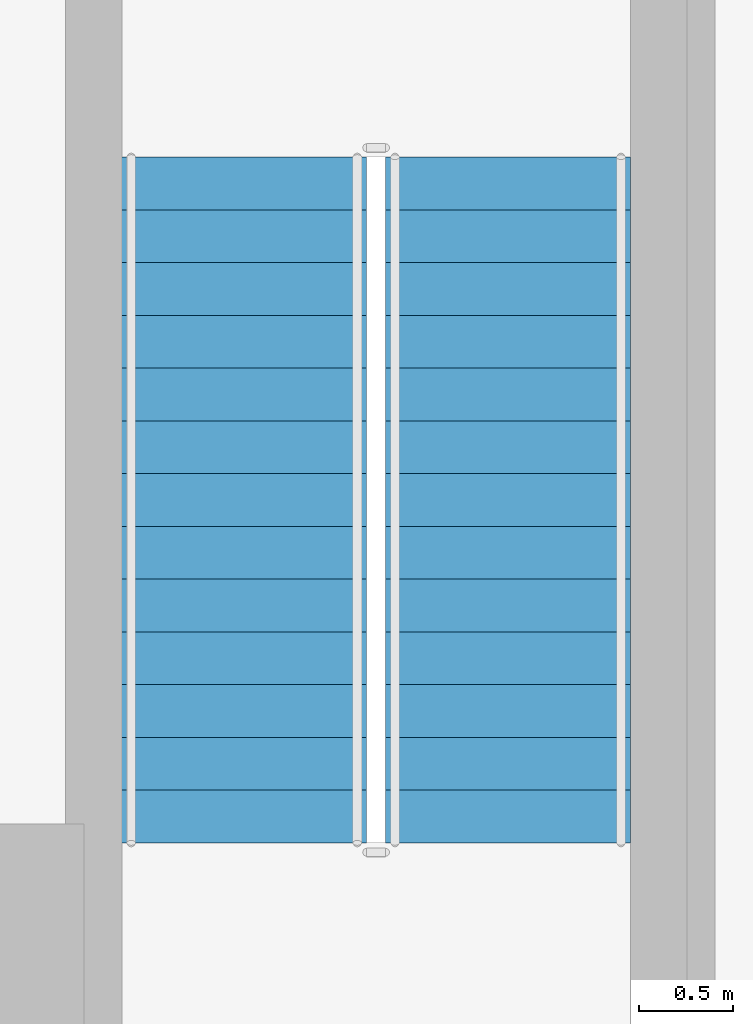
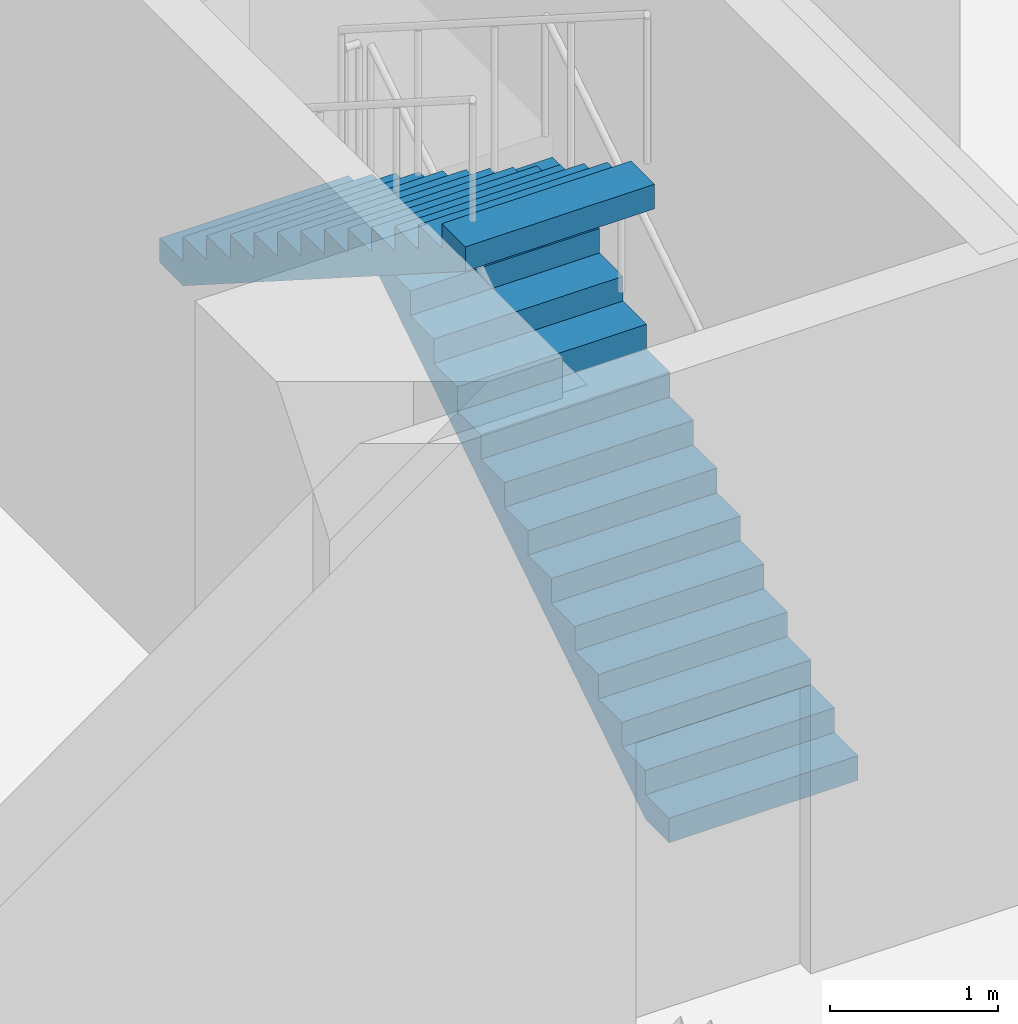
# One storey, part 19 of 35: 2 stair flights, 1 element without a shape of its own.
"""IFC4 building model written with IfcOpenShell, lengths in metres."""

from ifc_helpers import new_model, si_unit, direction, frame, origin, place, context, subcontext, project, spatial, triangles, source, transform, mapped, material, type_object, element, aggregate, save


model = new_model("IFC4")

# Units and contexts
model_context = context("Model", 3, precision=1e-05, world=origin(), true_north=direction((0.0, 1.0)))
body_context = subcontext(model_context, "Body", "Model", "MODEL_VIEW")
ifc_project = project(units=[si_unit("LENGTHUNIT", "METRE"), si_unit("AREAUNIT", "SQUARE_METRE"), si_unit("VOLUMEUNIT", "CUBIC_METRE"), si_unit("PLANEANGLEUNIT", "RADIAN"), si_unit("MASSUNIT", "GRAM", prefix="KILO")], contexts=[model_context])

# Site, building, storey
site_placement = place(None, origin())
site = spatial("IfcSite", under=ifc_project, at=site_placement, CompositionType="ELEMENT")
building_placement = place(site_placement, origin())
building = spatial("IfcBuilding", under=site, at=building_placement, Name="Ogive Portal Towers", CompositionType="ELEMENT")
storey_placement = place(building_placement, frame((0.0, 0.0, 18.5)))
storey = spatial("IfcBuildingStorey", under=building, at=storey_placement, Name="L03", CompositionType="ELEMENT", Elevation=18.5)

# Stair, stair flights
ifc_material = material(Name="Concrete C40/50", Category="concrete")
stair_type = type_object("IfcStairType", Name="INT-STAIR", PredefinedType="HALF_TURN_STAIR", material=ifc_material)
stair_placement = place(storey_placement, origin())
stair = element("IfcStair", 1, at=stair_placement, inside=storey, type_object=stair_type, Name="L03 Exit Stair ST-A3", PredefinedType="HALF_TURN_STAIR")
stair_flight_type = type_object("IfcStairFlightType", Name="INT-FLIGHT", PredefinedType="STRAIGHT", material=ifc_material)
shared_shape = source(origin(), body_context, "Body", "Tessellation", [
    triangles([(0.0, -0.650146484375, 0.0), (0.0, -0.376220703125, 0.0), (0.0, -0.192626953125, 0.0), (0.0, -0.081298828125, 0.0), (0.0, -0.024169921875, 0.0), (0.0, -0.003173828125, 0.0), (0.0, 0.0, 0.0), (0.0, 0.0029296875, 0.0), (0.0, 0.02392578125, 0.0), (0.0, 0.0810546875, 0.0), (0.0, 0.1923828125, 0.0), (0.0, 0.3759765625, 0.0), (0.0, 0.64990234375, 0.0), (0.0, -0.650146484375, 0.178466796875), (0.0, -0.376220703125, 0.178466796875), (0.0, -0.192626953125, 0.178466796875), (0.0, -0.081298828125, 0.178466796875), (0.0, -0.024169921875, 0.178466796875), (0.0, -0.003173828125, 0.178466796875), (0.0, 0.0, 0.178466796875), (0.0, 0.0029296875, 0.178466796875), (0.0, 0.02392578125, 0.178466796875), (0.0, 0.0810546875, 0.178466796875), (0.0, 0.1923828125, 0.178466796875), (0.0, 0.3759765625, 0.178466796875), (0.0, 0.64990234375, 0.178466796875), (0.280029296875, -0.650146484375, 0.178466796875), (0.280029296875, -0.376220703125, 0.178466796875), (0.280029296875, -0.192626953125, 0.178466796875), (0.280029296875, -0.081298828125, 0.178466796875), (0.280029296875, -0.024169921875, 0.178466796875), (0.280029296875, -0.003173828125, 0.178466796875), (0.280029296875, 0.0, 0.178466796875), (0.280029296875, 0.0029296875, 0.178466796875), (0.280029296875, 0.02392578125, 0.178466796875), (0.280029296875, 0.0810546875, 0.178466796875), (0.280029296875, 0.1923828125, 0.178466796875), (0.280029296875, 0.3759765625, 0.178466796875), (0.280029296875, 0.64990234375, 0.178466796875), (0.280029296875, -0.650146484375, 0.357177734375), (0.280029296875, -0.376220703125, 0.357177734375), (0.280029296875, -0.192626953125, 0.357177734375), (0.280029296875, -0.081298828125, 0.357177734375), (0.280029296875, -0.024169921875, 0.357177734375), (0.280029296875, -0.003173828125, 0.357177734375), (0.280029296875, 0.0, 0.357177734375), (0.280029296875, 0.0029296875, 0.357177734375), (0.280029296875, 0.02392578125, 0.357177734375), (0.280029296875, 0.0810546875, 0.357177734375), (0.280029296875, 0.1923828125, 0.357177734375), (0.280029296875, 0.3759765625, 0.357177734375), (0.280029296875, 0.64990234375, 0.357177734375), (0.56005859375, -0.650146484375, 0.357177734375), (0.56005859375, -0.376220703125, 0.357177734375), (0.56005859375, -0.192626953125, 0.357177734375), (0.56005859375, -0.081298828125, 0.357177734375), (0.56005859375, -0.024169921875, 0.357177734375), (0.56005859375, -0.003173828125, 0.357177734375), (0.56005859375, 0.0, 0.357177734375), (0.56005859375, 0.0029296875, 0.357177734375), (0.56005859375, 0.02392578125, 0.357177734375), (0.56005859375, 0.0810546875, 0.357177734375), (0.56005859375, 0.1923828125, 0.357177734375), (0.56005859375, 0.3759765625, 0.357177734375), (0.56005859375, 0.64990234375, 0.357177734375), (0.56005859375, -0.650146484375, 0.53564453125), (0.56005859375, -0.376220703125, 0.53564453125), (0.56005859375, -0.192626953125, 0.53564453125), (0.56005859375, -0.081298828125, 0.53564453125), (0.56005859375, -0.024169921875, 0.53564453125), (0.56005859375, -0.003173828125, 0.53564453125), (0.56005859375, 0.0, 0.53564453125), (0.56005859375, 0.0029296875, 0.53564453125), (0.56005859375, 0.02392578125, 0.53564453125), (0.56005859375, 0.0810546875, 0.53564453125), (0.56005859375, 0.1923828125, 0.53564453125), (0.56005859375, 0.3759765625, 0.53564453125), (0.56005859375, 0.64990234375, 0.53564453125), (0.840087890625, -0.650146484375, 0.53564453125), (0.840087890625, -0.376220703125, 0.53564453125), (0.840087890625, -0.192626953125, 0.53564453125), (0.840087890625, -0.081298828125, 0.53564453125), (0.840087890625, -0.024169921875, 0.53564453125), (0.840087890625, -0.003173828125, 0.53564453125), (0.840087890625, 0.0, 0.53564453125), (0.840087890625, 0.0029296875, 0.53564453125), (0.840087890625, 0.02392578125, 0.53564453125), (0.840087890625, 0.0810546875, 0.53564453125), (0.840087890625, 0.1923828125, 0.53564453125), (0.840087890625, 0.3759765625, 0.53564453125), (0.840087890625, 0.64990234375, 0.53564453125), (0.840087890625, -0.650146484375, 0.71435546875), (0.840087890625, -0.376220703125, 0.71435546875), (0.840087890625, -0.192626953125, 0.71435546875), (0.840087890625, -0.081298828125, 0.71435546875), (0.840087890625, -0.024169921875, 0.71435546875), (0.840087890625, -0.003173828125, 0.71435546875), (0.840087890625, 0.0, 0.71435546875), (0.840087890625, 0.0029296875, 0.71435546875), (0.840087890625, 0.02392578125, 0.71435546875), (0.840087890625, 0.0810546875, 0.71435546875), (0.840087890625, 0.1923828125, 0.71435546875), (0.840087890625, 0.3759765625, 0.71435546875), (0.840087890625, 0.64990234375, 0.71435546875), (1.1201171875, -0.650146484375, 0.71435546875), (1.1201171875, -0.376220703125, 0.71435546875), (1.1201171875, -0.192626953125, 0.71435546875), (1.1201171875, -0.081298828125, 0.71435546875), (1.1201171875, -0.024169921875, 0.71435546875), (1.1201171875, -0.003173828125, 0.71435546875), (1.1201171875, 0.0, 0.71435546875), (1.1201171875, 0.0029296875, 0.71435546875), (1.1201171875, 0.02392578125, 0.71435546875), (1.1201171875, 0.0810546875, 0.71435546875), (1.1201171875, 0.1923828125, 0.71435546875), (1.1201171875, 0.3759765625, 0.71435546875), (1.1201171875, 0.64990234375, 0.71435546875), (1.1201171875, -0.650146484375, 0.892822265625), (1.1201171875, -0.376220703125, 0.892822265625), (1.1201171875, -0.192626953125, 0.892822265625), (1.1201171875, -0.081298828125, 0.892822265625), (1.1201171875, -0.024169921875, 0.892822265625), (1.1201171875, -0.003173828125, 0.892822265625), (1.1201171875, 0.0, 0.892822265625), (1.1201171875, 0.0029296875, 0.892822265625), (1.1201171875, 0.02392578125, 0.892822265625), (1.1201171875, 0.0810546875, 0.892822265625), (1.1201171875, 0.1923828125, 0.892822265625), (1.1201171875, 0.3759765625, 0.892822265625), (1.1201171875, 0.64990234375, 0.892822265625), (1.39990234375, -0.650146484375, 0.892822265625), (1.39990234375, -0.376220703125, 0.892822265625), (1.39990234375, -0.192626953125, 0.892822265625), (1.39990234375, -0.081298828125, 0.892822265625), (1.39990234375, -0.024169921875, 0.892822265625), (1.39990234375, -0.003173828125, 0.892822265625), (1.39990234375, 0.0, 0.892822265625), (1.39990234375, 0.0029296875, 0.892822265625), (1.39990234375, 0.02392578125, 0.892822265625), (1.39990234375, 0.0810546875, 0.892822265625), (1.39990234375, 0.1923828125, 0.892822265625), (1.39990234375, 0.3759765625, 0.892822265625), (1.39990234375, 0.64990234375, 0.892822265625), (1.39990234375, -0.650146484375, 1.071533203125), (1.39990234375, -0.376220703125, 1.071533203125), (1.39990234375, -0.192626953125, 1.071533203125), (1.39990234375, -0.081298828125, 1.071533203125), (1.39990234375, -0.024169921875, 1.071533203125), (1.39990234375, -0.003173828125, 1.071533203125), (1.39990234375, 0.0, 1.071533203125), (1.39990234375, 0.0029296875, 1.071533203125), (1.39990234375, 0.02392578125, 1.071533203125), (1.39990234375, 0.0810546875, 1.071533203125), (1.39990234375, 0.1923828125, 1.071533203125), (1.39990234375, 0.3759765625, 1.071533203125), (1.39990234375, 0.64990234375, 1.071533203125), (1.679931640625, -0.650146484375, 1.071533203125), (1.679931640625, -0.376220703125, 1.071533203125), (1.679931640625, -0.192626953125, 1.071533203125), (1.679931640625, -0.081298828125, 1.071533203125), (1.679931640625, -0.024169921875, 1.071533203125), (1.679931640625, -0.003173828125, 1.071533203125), (1.679931640625, 0.0, 1.071533203125), (1.679931640625, 0.0029296875, 1.071533203125), (1.679931640625, 0.02392578125, 1.071533203125), (1.679931640625, 0.0810546875, 1.071533203125), (1.679931640625, 0.1923828125, 1.071533203125), (1.679931640625, 0.3759765625, 1.071533203125), (1.679931640625, 0.64990234375, 1.071533203125), (1.679931640625, -0.650146484375, 1.25), (1.679931640625, -0.376220703125, 1.25), (1.679931640625, -0.192626953125, 1.25), (1.679931640625, -0.081298828125, 1.25), (1.679931640625, -0.024169921875, 1.25), (1.679931640625, -0.003173828125, 1.25), (1.679931640625, 0.0, 1.25), (1.679931640625, 0.0029296875, 1.25), (1.679931640625, 0.02392578125, 1.25), (1.679931640625, 0.0810546875, 1.25), (1.679931640625, 0.1923828125, 1.25), (1.679931640625, 0.3759765625, 1.25), (1.679931640625, 0.64990234375, 1.25), (1.9599609375, -0.650146484375, 1.25), (1.9599609375, -0.376220703125, 1.25), (1.9599609375, -0.192626953125, 1.25), (1.9599609375, -0.081298828125, 1.25), (1.9599609375, -0.024169921875, 1.25), (1.9599609375, -0.003173828125, 1.25), (1.9599609375, 0.0, 1.25), (1.9599609375, 0.0029296875, 1.25), (1.9599609375, 0.02392578125, 1.25), (1.9599609375, 0.0810546875, 1.25), (1.9599609375, 0.1923828125, 1.25), (1.9599609375, 0.3759765625, 1.25), (1.9599609375, 0.64990234375, 1.25), (1.9599609375, -0.650146484375, 1.428466796875), (1.9599609375, -0.376220703125, 1.428466796875), (1.9599609375, -0.192626953125, 1.428466796875), (1.9599609375, -0.081298828125, 1.428466796875), (1.9599609375, -0.024169921875, 1.428466796875), (1.9599609375, -0.003173828125, 1.428466796875), (1.9599609375, 0.0, 1.428466796875), (1.9599609375, 0.0029296875, 1.428466796875), (1.9599609375, 0.02392578125, 1.428466796875), (1.9599609375, 0.0810546875, 1.428466796875), (1.9599609375, 0.1923828125, 1.428466796875), (1.9599609375, 0.3759765625, 1.428466796875), (1.9599609375, 0.64990234375, 1.428466796875), (2.239990234375, -0.650146484375, 1.428466796875), (2.239990234375, -0.376220703125, 1.428466796875), (2.239990234375, -0.192626953125, 1.428466796875), (2.239990234375, -0.081298828125, 1.428466796875), (2.239990234375, -0.024169921875, 1.428466796875), (2.239990234375, -0.003173828125, 1.428466796875), (2.239990234375, 0.0, 1.428466796875), (2.239990234375, 0.0029296875, 1.428466796875), (2.239990234375, 0.02392578125, 1.428466796875), (2.239990234375, 0.0810546875, 1.428466796875), (2.239990234375, 0.1923828125, 1.428466796875), (2.239990234375, 0.3759765625, 1.428466796875), (2.239990234375, 0.64990234375, 1.428466796875), (2.239990234375, -0.650146484375, 1.607177734375), (2.239990234375, -0.376220703125, 1.607177734375), (2.239990234375, -0.192626953125, 1.607177734375), (2.239990234375, -0.081298828125, 1.607177734375), (2.239990234375, -0.024169921875, 1.607177734375), (2.239990234375, -0.003173828125, 1.607177734375), (2.239990234375, 0.0, 1.607177734375), (2.239990234375, 0.0029296875, 1.607177734375), (2.239990234375, 0.02392578125, 1.607177734375), (2.239990234375, 0.0810546875, 1.607177734375), (2.239990234375, 0.1923828125, 1.607177734375), (2.239990234375, 0.3759765625, 1.607177734375), (2.239990234375, 0.64990234375, 1.607177734375), (2.52001953125, -0.650146484375, 1.607177734375), (2.52001953125, -0.376220703125, 1.607177734375), (2.52001953125, -0.192626953125, 1.607177734375), (2.52001953125, -0.081298828125, 1.607177734375), (2.52001953125, -0.024169921875, 1.607177734375), (2.52001953125, -0.003173828125, 1.607177734375), (2.52001953125, 0.0, 1.607177734375), (2.52001953125, 0.0029296875, 1.607177734375), (2.52001953125, 0.02392578125, 1.607177734375), (2.52001953125, 0.0810546875, 1.607177734375), (2.52001953125, 0.1923828125, 1.607177734375), (2.52001953125, 0.3759765625, 1.607177734375), (2.52001953125, 0.64990234375, 1.607177734375), (2.52001953125, -0.650146484375, 1.78564453125), (2.52001953125, -0.376220703125, 1.78564453125), (2.52001953125, -0.192626953125, 1.78564453125), (2.52001953125, -0.081298828125, 1.78564453125), (2.52001953125, -0.024169921875, 1.78564453125), (2.52001953125, -0.003173828125, 1.78564453125), (2.52001953125, 0.0, 1.78564453125), (2.52001953125, 0.0029296875, 1.78564453125), (2.52001953125, 0.02392578125, 1.78564453125), (2.52001953125, 0.0810546875, 1.78564453125), (2.52001953125, 0.1923828125, 1.78564453125), (2.52001953125, 0.3759765625, 1.78564453125), (2.52001953125, 0.64990234375, 1.78564453125), (2.800048828125, -0.650146484375, 1.78564453125), (2.800048828125, -0.376220703125, 1.78564453125), (2.800048828125, -0.192626953125, 1.78564453125), (2.800048828125, -0.081298828125, 1.78564453125), (2.800048828125, -0.024169921875, 1.78564453125), (2.800048828125, -0.003173828125, 1.78564453125), (2.800048828125, 0.0, 1.78564453125), (2.800048828125, 0.0029296875, 1.78564453125), (2.800048828125, 0.02392578125, 1.78564453125), (2.800048828125, 0.0810546875, 1.78564453125), (2.800048828125, 0.1923828125, 1.78564453125), (2.800048828125, 0.3759765625, 1.78564453125), (2.800048828125, 0.64990234375, 1.78564453125), (2.800048828125, -0.650146484375, 1.96435546875), (2.800048828125, -0.376220703125, 1.96435546875), (2.800048828125, -0.192626953125, 1.96435546875), (2.800048828125, -0.081298828125, 1.96435546875), (2.800048828125, -0.024169921875, 1.96435546875), (2.800048828125, -0.003173828125, 1.96435546875), (2.800048828125, 0.0, 1.96435546875), (2.800048828125, 0.0029296875, 1.96435546875), (2.800048828125, 0.02392578125, 1.96435546875), (2.800048828125, 0.0810546875, 1.96435546875), (2.800048828125, 0.1923828125, 1.96435546875), (2.800048828125, 0.3759765625, 1.96435546875), (2.800048828125, 0.64990234375, 1.96435546875), (3.080078125, -0.650146484375, 1.96435546875), (3.080078125, -0.376220703125, 1.96435546875), (3.080078125, -0.192626953125, 1.96435546875), (3.080078125, -0.081298828125, 1.96435546875), (3.080078125, -0.024169921875, 1.96435546875), (3.080078125, -0.003173828125, 1.96435546875), (3.080078125, 0.0, 1.96435546875), (3.080078125, 0.0029296875, 1.96435546875), (3.080078125, 0.02392578125, 1.96435546875), (3.080078125, 0.0810546875, 1.96435546875), (3.080078125, 0.1923828125, 1.96435546875), (3.080078125, 0.3759765625, 1.96435546875), (3.080078125, 0.64990234375, 1.96435546875), (3.080078125, -0.650146484375, 2.142822265625), (3.080078125, -0.376220703125, 2.142822265625), (3.080078125, -0.192626953125, 2.142822265625), (3.080078125, -0.081298828125, 2.142822265625), (3.080078125, -0.024169921875, 2.142822265625), (3.080078125, -0.003173828125, 2.142822265625), (3.080078125, 0.0, 2.142822265625), (3.080078125, 0.0029296875, 2.142822265625), (3.080078125, 0.02392578125, 2.142822265625), (3.080078125, 0.0810546875, 2.142822265625), (3.080078125, 0.1923828125, 2.142822265625), (3.080078125, 0.3759765625, 2.142822265625), (3.080078125, 0.64990234375, 2.142822265625), (3.360107421875, -0.650146484375, 2.142822265625), (3.360107421875, -0.376220703125, 2.142822265625), (3.360107421875, -0.192626953125, 2.142822265625), (3.360107421875, -0.081298828125, 2.142822265625), (3.360107421875, -0.024169921875, 2.142822265625), (3.360107421875, -0.003173828125, 2.142822265625), (3.360107421875, 0.0, 2.142822265625), (3.360107421875, 0.0029296875, 2.142822265625), (3.360107421875, 0.02392578125, 2.142822265625), (3.360107421875, 0.0810546875, 2.142822265625), (3.360107421875, 0.1923828125, 2.142822265625), (3.360107421875, 0.3759765625, 2.142822265625), (3.360107421875, 0.64990234375, 2.142822265625), (3.360107421875, -0.650146484375, 2.321533203125), (3.360107421875, -0.376220703125, 2.321533203125), (3.360107421875, -0.192626953125, 2.321533203125), (3.360107421875, -0.081298828125, 2.321533203125), (3.360107421875, -0.024169921875, 2.321533203125), (3.360107421875, -0.003173828125, 2.321533203125), (3.360107421875, 0.0, 2.321533203125), (3.360107421875, 0.0029296875, 2.321533203125), (3.360107421875, 0.02392578125, 2.321533203125), (3.360107421875, 0.0810546875, 2.321533203125), (3.360107421875, 0.1923828125, 2.321533203125), (3.360107421875, 0.3759765625, 2.321533203125), (3.360107421875, 0.64990234375, 2.321533203125), (3.639892578125, -0.650146484375, 2.321533203125), (3.639892578125, -0.376220703125, 2.321533203125), (3.639892578125, -0.192626953125, 2.321533203125), (3.639892578125, -0.081298828125, 2.321533203125), (3.639892578125, -0.024169921875, 2.321533203125), (3.639892578125, -0.003173828125, 2.321533203125), (3.639892578125, 0.0, 2.321533203125), (3.639892578125, 0.0029296875, 2.321533203125), (3.639892578125, 0.02392578125, 2.321533203125), (3.639892578125, 0.0810546875, 2.321533203125), (3.639892578125, 0.1923828125, 2.321533203125), (3.639892578125, 0.3759765625, 2.321533203125), (3.639892578125, 0.64990234375, 2.321533203125), (3.639892578125, -0.650146484375, 2.1435546875), (3.639892578125, -0.376220703125, 2.1435546875), (3.639892578125, -0.192626953125, 2.1435546875), (3.639892578125, -0.081298828125, 2.1435546875), (3.639892578125, -0.024169921875, 2.1435546875), (3.639892578125, -0.003173828125, 2.1435546875), (3.639892578125, 0.0, 2.1435546875), (3.639892578125, 0.0029296875, 2.1435546875), (3.639892578125, 0.02392578125, 2.1435546875), (3.639892578125, 0.0810546875, 2.1435546875), (3.639892578125, 0.1923828125, 2.1435546875), (3.639892578125, 0.3759765625, 2.1435546875), (3.639892578125, 0.64990234375, 2.1435546875), (0.27880859375, -0.650146484375, 0.0), (0.27880859375, -0.376220703125, 0.0), (0.27880859375, -0.192626953125, 0.0), (0.27880859375, -0.081298828125, 0.0), (0.27880859375, -0.024169921875, 0.0), (0.27880859375, -0.003173828125, 0.0), (0.27880859375, 0.0, 0.0), (0.27880859375, 0.0029296875, 0.0), (0.27880859375, 0.02392578125, 0.0), (0.27880859375, 0.0810546875, 0.0), (0.27880859375, 0.1923828125, 0.0), (0.27880859375, 0.3759765625, 0.0), (0.27880859375, 0.64990234375, 0.0)], [[1, 14, 15], [1, 15, 2], [2, 15, 16], [2, 16, 3], [3, 16, 17], [3, 17, 4], [4, 17, 18], [4, 18, 5], [5, 18, 19], [5, 19, 6], [6, 19, 20], [6, 20, 7], [7, 20, 21], [7, 21, 8], [8, 21, 22], [8, 22, 9], [9, 22, 23], [9, 23, 10], [10, 23, 24], [10, 24, 11], [11, 24, 25], [11, 25, 12], [12, 25, 26], [12, 26, 13], [14, 27, 28], [14, 28, 15], [15, 28, 29], [15, 29, 16], [16, 29, 30], [16, 30, 17], [17, 30, 31], [17, 31, 18], [18, 31, 32], [18, 32, 19], [19, 32, 33], [19, 33, 20], [20, 33, 34], [20, 34, 21], [21, 34, 35], [21, 35, 22], [22, 35, 36], [22, 36, 23], [23, 36, 37], [23, 37, 24], [24, 37, 38], [24, 38, 25], [25, 38, 39], [25, 39, 26], [27, 40, 41], [27, 41, 28], [28, 41, 42], [28, 42, 29], [29, 42, 43], [29, 43, 30], [30, 43, 44], [30, 44, 31], [31, 44, 45], [31, 45, 32], [32, 45, 46], [32, 46, 33], [33, 46, 47], [33, 47, 34], [34, 47, 48], [34, 48, 35], [35, 48, 49], [35, 49, 36], [36, 49, 50], [36, 50, 37], [37, 50, 51], [37, 51, 38], [38, 51, 52], [38, 52, 39], [40, 53, 54], [40, 54, 41], [41, 54, 55], [41, 55, 42], [42, 55, 56], [42, 56, 43], [43, 56, 57], [43, 57, 44], [44, 57, 58], [44, 58, 45], [45, 58, 59], [45, 59, 46], [46, 59, 60], [46, 60, 47], [47, 60, 61], [47, 61, 48], [48, 61, 62], [48, 62, 49], [49, 62, 63], [49, 63, 50], [50, 63, 64], [50, 64, 51], [51, 64, 65], [51, 65, 52], [53, 66, 67], [53, 67, 54], [54, 67, 68], [54, 68, 55], [55, 68, 69], [55, 69, 56], [56, 69, 70], [56, 70, 57], [57, 70, 71], [57, 71, 58], [58, 71, 72], [58, 72, 59], [59, 72, 73], [59, 73, 60], [60, 73, 74], [60, 74, 61], [61, 74, 75], [61, 75, 62], [62, 75, 76], [62, 76, 63], [63, 76, 77], [63, 77, 64], [64, 77, 78], [64, 78, 65], [66, 79, 80], [66, 80, 67], [67, 80, 81], [67, 81, 68], [68, 81, 82], [68, 82, 69], [69, 82, 83], [69, 83, 70], [70, 83, 84], [70, 84, 71], [71, 84, 85], [71, 85, 72], [72, 85, 86], [72, 86, 73], [73, 86, 87], [73, 87, 74], [74, 87, 88], [74, 88, 75], [75, 88, 89], [75, 89, 76], [76, 89, 90], [76, 90, 77], [77, 90, 91], [77, 91, 78], [79, 92, 93], [79, 93, 80], [80, 93, 94], [80, 94, 81], [81, 94, 95], [81, 95, 82], [82, 95, 96], [82, 96, 83], [83, 96, 97], [83, 97, 84], [84, 97, 98], [84, 98, 85], [85, 98, 99], [85, 99, 86], [86, 99, 100], [86, 100, 87], [87, 100, 101], [87, 101, 88], [88, 101, 102], [88, 102, 89], [89, 102, 103], [89, 103, 90], [90, 103, 104], [90, 104, 91], [92, 105, 106], [92, 106, 93], [93, 106, 107], [93, 107, 94], [94, 107, 108], [94, 108, 95], [95, 108, 109], [95, 109, 96], [96, 109, 110], [96, 110, 97], [97, 110, 111], [97, 111, 98], [98, 111, 112], [98, 112, 99], [99, 112, 113], [99, 113, 100], [100, 113, 114], [100, 114, 101], [101, 114, 115], [101, 115, 102], [102, 115, 116], [102, 116, 103], [103, 116, 117], [103, 117, 104], [105, 118, 119], [105, 119, 106], [106, 119, 120], [106, 120, 107], [107, 120, 121], [107, 121, 108], [108, 121, 122], [108, 122, 109], [109, 122, 123], [109, 123, 110], [110, 123, 124], [110, 124, 111], [111, 124, 125], [111, 125, 112], [112, 125, 126], [112, 126, 113], [113, 126, 127], [113, 127, 114], [114, 127, 128], [114, 128, 115], [115, 128, 129], [115, 129, 116], [116, 129, 130], [116, 130, 117], [118, 131, 132], [118, 132, 119], [119, 132, 133], [119, 133, 120], [120, 133, 134], [120, 134, 121], [121, 134, 135], [121, 135, 122], [122, 135, 136], [122, 136, 123], [123, 136, 137], [123, 137, 124], [124, 137, 138], [124, 138, 125], [125, 138, 139], [125, 139, 126], [126, 139, 140], [126, 140, 127], [127, 140, 141], [127, 141, 128], [128, 141, 142], [128, 142, 129], [129, 142, 143], [129, 143, 130], [131, 144, 145], [131, 145, 132], [132, 145, 146], [132, 146, 133], [133, 146, 147], [133, 147, 134], [134, 147, 148], [134, 148, 135], [135, 148, 149], [135, 149, 136], [136, 149, 150], [136, 150, 137], [137, 150, 151], [137, 151, 138], [138, 151, 152], [138, 152, 139], [139, 152, 153], [139, 153, 140], [140, 153, 154], [140, 154, 141], [141, 154, 155], [141, 155, 142], [142, 155, 156], [142, 156, 143], [144, 157, 158], [144, 158, 145], [145, 158, 159], [145, 159, 146], [146, 159, 160], [146, 160, 147], [147, 160, 161], [147, 161, 148], [148, 161, 162], [148, 162, 149], [149, 162, 163], [149, 163, 150], [150, 163, 164], [150, 164, 151], [151, 164, 165], [151, 165, 152], [152, 165, 166], [152, 166, 153], [153, 166, 167], [153, 167, 154], [154, 167, 168], [154, 168, 155], [155, 168, 169], [155, 169, 156], [157, 170, 171], [157, 171, 158], [158, 171, 172], [158, 172, 159], [159, 172, 173], [159, 173, 160], [160, 173, 174], [160, 174, 161], [161, 174, 175], [161, 175, 162], [162, 175, 176], [162, 176, 163], [163, 176, 177], [163, 177, 164], [164, 177, 178], [164, 178, 165], [165, 178, 179], [165, 179, 166], [166, 179, 180], [166, 180, 167], [167, 180, 181], [167, 181, 168], [168, 181, 182], [168, 182, 169], [170, 183, 184], [170, 184, 171], [171, 184, 185], [171, 185, 172], [172, 185, 186], [172, 186, 173], [173, 186, 187], [173, 187, 174], [174, 187, 188], [174, 188, 175], [175, 188, 189], [175, 189, 176], [176, 189, 190], [176, 190, 177], [177, 190, 191], [177, 191, 178], [178, 191, 192], [178, 192, 179], [179, 192, 193], [179, 193, 180], [180, 193, 194], [180, 194, 181], [181, 194, 195], [181, 195, 182], [183, 196, 197], [183, 197, 184], [184, 197, 198], [184, 198, 185], [185, 198, 199], [185, 199, 186], [186, 199, 200], [186, 200, 187], [187, 200, 201], [187, 201, 188], [188, 201, 202], [188, 202, 189], [189, 202, 203], [189, 203, 190], [190, 203, 204], [190, 204, 191], [191, 204, 205], [191, 205, 192], [192, 205, 206], [192, 206, 193], [193, 206, 207], [193, 207, 194], [194, 207, 208], [194, 208, 195], [196, 209, 210], [196, 210, 197], [197, 210, 211], [197, 211, 198], [198, 211, 212], [198, 212, 199], [199, 212, 213], [199, 213, 200], [200, 213, 214], [200, 214, 201], [201, 214, 215], [201, 215, 202], [202, 215, 216], [202, 216, 203], [203, 216, 217], [203, 217, 204], [204, 217, 218], [204, 218, 205], [205, 218, 219], [205, 219, 206], [206, 219, 220], [206, 220, 207], [207, 220, 221], [207, 221, 208], [209, 222, 223], [209, 223, 210], [210, 223, 224], [210, 224, 211], [211, 224, 225], [211, 225, 212], [212, 225, 226], [212, 226, 213], [213, 226, 227], [213, 227, 214], [214, 227, 228], [214, 228, 215], [215, 228, 229], [215, 229, 216], [216, 229, 230], [216, 230, 217], [217, 230, 231], [217, 231, 218], [218, 231, 232], [218, 232, 219], [219, 232, 233], [219, 233, 220], [220, 233, 234], [220, 234, 221], [222, 235, 236], [222, 236, 223], [223, 236, 237], [223, 237, 224], [224, 237, 238], [224, 238, 225], [225, 238, 239], [225, 239, 226], [226, 239, 240], [226, 240, 227], [227, 240, 241], [227, 241, 228], [228, 241, 242], [228, 242, 229], [229, 242, 243], [229, 243, 230], [230, 243, 244], [230, 244, 231], [231, 244, 245], [231, 245, 232], [232, 245, 246], [232, 246, 233], [233, 246, 247], [233, 247, 234], [235, 248, 249], [235, 249, 236], [236, 249, 250], [236, 250, 237], [237, 250, 251], [237, 251, 238], [238, 251, 252], [238, 252, 239], [239, 252, 253], [239, 253, 240], [240, 253, 254], [240, 254, 241], [241, 254, 255], [241, 255, 242], [242, 255, 256], [242, 256, 243], [243, 256, 257], [243, 257, 244], [244, 257, 258], [244, 258, 245], [245, 258, 259], [245, 259, 246], [246, 259, 260], [246, 260, 247], [248, 261, 262], [248, 262, 249], [249, 262, 263], [249, 263, 250], [250, 263, 264], [250, 264, 251], [251, 264, 265], [251, 265, 252], [252, 265, 266], [252, 266, 253], [253, 266, 267], [253, 267, 254], [254, 267, 268], [254, 268, 255], [255, 268, 269], [255, 269, 256], [256, 269, 270], [256, 270, 257], [257, 270, 271], [257, 271, 258], [258, 271, 272], [258, 272, 259], [259, 272, 273], [259, 273, 260], [261, 274, 275], [261, 275, 262], [262, 275, 276], [262, 276, 263], [263, 276, 277], [263, 277, 264], [264, 277, 278], [264, 278, 265], [265, 278, 279], [265, 279, 266], [266, 279, 280], [266, 280, 267], [267, 280, 281], [267, 281, 268], [268, 281, 282], [268, 282, 269], [269, 282, 283], [269, 283, 270], [270, 283, 284], [270, 284, 271], [271, 284, 285], [271, 285, 272], [272, 285, 286], [272, 286, 273], [274, 287, 288], [274, 288, 275], [275, 288, 289], [275, 289, 276], [276, 289, 290], [276, 290, 277], [277, 290, 291], [277, 291, 278], [278, 291, 292], [278, 292, 279], [279, 292, 293], [279, 293, 280], [280, 293, 294], [280, 294, 281], [281, 294, 295], [281, 295, 282], [282, 295, 296], [282, 296, 283], [283, 296, 297], [283, 297, 284], [284, 297, 298], [284, 298, 285], [285, 298, 299], [285, 299, 286], [287, 300, 301], [287, 301, 288], [288, 301, 302], [288, 302, 289], [289, 302, 303], [289, 303, 290], [290, 303, 304], [290, 304, 291], [291, 304, 305], [291, 305, 292], [292, 305, 306], [292, 306, 293], [293, 306, 307], [293, 307, 294], [294, 307, 308], [294, 308, 295], [295, 308, 309], [295, 309, 296], [296, 309, 310], [296, 310, 297], [297, 310, 311], [297, 311, 298], [298, 311, 312], [298, 312, 299], [300, 313, 314], [300, 314, 301], [301, 314, 315], [301, 315, 302], [302, 315, 316], [302, 316, 303], [303, 316, 317], [303, 317, 304], [304, 317, 318], [304, 318, 305], [305, 318, 319], [305, 319, 306], [306, 319, 320], [306, 320, 307], [307, 320, 321], [307, 321, 308], [308, 321, 322], [308, 322, 309], [309, 322, 323], [309, 323, 310], [310, 323, 324], [310, 324, 311], [311, 324, 325], [311, 325, 312], [313, 326, 327], [313, 327, 314], [314, 327, 328], [314, 328, 315], [315, 328, 329], [315, 329, 316], [316, 329, 330], [316, 330, 317], [317, 330, 331], [317, 331, 318], [318, 331, 332], [318, 332, 319], [319, 332, 333], [319, 333, 320], [320, 333, 334], [320, 334, 321], [321, 334, 335], [321, 335, 322], [322, 335, 336], [322, 336, 323], [323, 336, 337], [323, 337, 324], [324, 337, 338], [324, 338, 325], [326, 339, 340], [326, 340, 327], [327, 340, 341], [327, 341, 328], [328, 341, 342], [328, 342, 329], [329, 342, 343], [329, 343, 330], [330, 343, 344], [330, 344, 331], [331, 344, 345], [331, 345, 332], [332, 345, 346], [332, 346, 333], [333, 346, 347], [333, 347, 334], [334, 347, 348], [334, 348, 335], [335, 348, 349], [335, 349, 336], [336, 349, 350], [336, 350, 337], [337, 350, 351], [337, 351, 338], [339, 352, 353], [339, 353, 340], [340, 353, 354], [340, 354, 341], [341, 354, 355], [341, 355, 342], [342, 355, 356], [342, 356, 343], [343, 356, 357], [343, 357, 344], [344, 357, 358], [344, 358, 345], [345, 358, 359], [345, 359, 346], [346, 359, 360], [346, 360, 347], [347, 360, 361], [347, 361, 348], [348, 361, 362], [348, 362, 349], [349, 362, 363], [349, 363, 350], [350, 363, 364], [350, 364, 351], [352, 365, 366], [352, 366, 353], [353, 366, 367], [353, 367, 354], [354, 367, 368], [354, 368, 355], [355, 368, 369], [355, 369, 356], [356, 369, 370], [356, 370, 357], [357, 370, 371], [357, 371, 358], [358, 371, 372], [358, 372, 359], [359, 372, 373], [359, 373, 360], [360, 373, 374], [360, 374, 361], [361, 374, 375], [361, 375, 362], [362, 375, 376], [362, 376, 363], [363, 376, 377], [363, 377, 364], [365, 1, 2], [365, 2, 366], [366, 2, 3], [366, 3, 367], [367, 3, 4], [367, 4, 368], [368, 4, 5], [368, 5, 369], [369, 5, 6], [369, 6, 370], [370, 6, 7], [370, 7, 371], [371, 7, 8], [371, 8, 372], [372, 8, 9], [372, 9, 373], [373, 9, 10], [373, 10, 374], [374, 10, 11], [374, 11, 375], [375, 11, 12], [375, 12, 376], [376, 12, 13], [376, 13, 377], [1, 365, 352], [13, 364, 377], [352, 339, 326], [364, 338, 351], [352, 326, 313], [364, 325, 338], [313, 300, 287], [325, 299, 312], [352, 313, 287], [364, 299, 325], [287, 274, 261], [299, 273, 286], [352, 287, 261], [364, 273, 299], [261, 248, 235], [273, 247, 260], [352, 261, 235], [364, 247, 273], [235, 222, 209], [247, 221, 234], [352, 235, 209], [364, 221, 247], [209, 196, 183], [221, 195, 208], [352, 209, 183], [364, 195, 221], [183, 170, 157], [195, 169, 182], [352, 183, 157], [364, 169, 195], [157, 144, 131], [169, 143, 156], [352, 157, 131], [364, 143, 169], [131, 118, 105], [143, 117, 130], [352, 131, 105], [364, 117, 143], [105, 92, 79], [117, 91, 104], [352, 105, 79], [364, 91, 117], [79, 66, 53], [91, 65, 78], [352, 79, 53], [364, 65, 91], [53, 40, 27], [65, 39, 52], [352, 53, 27], [364, 39, 65], [1, 352, 27], [13, 39, 364], [27, 14, 1], [39, 13, 26]], closed=True),
])
stair_flight_1_placement = place(storey_placement, frame((43.550048828125, 67.199951171875, 0.0), z_axis=(0.0, 0.0, 1.0), x_axis=(0.0, 1.0, 0.0)))
stair_flight_1 = element("IfcStairFlight", 2, at=stair_flight_1_placement, type_object=stair_flight_type, Name="ST-A3 flight 1", NumberOfRisers=14, NumberOfTreads=13, PredefinedType="STRAIGHT", RiserHeight=0.178571429, TreadLength=0.28, context=body_context, shape_type="MappedRepresentation", body=[
    mapped(shared_shape, transform((0.0, 0.0, 0.0), scale=1.0)),
])
stair_flight_2_placement = place(storey_placement, frame((42.14990234375, 70.840087890625, 2.5), z_axis=(0.0, 0.0, 1.0), x_axis=(0.0, -1.0, 0.0)))
stair_flight_2 = element("IfcStairFlight", 3, at=stair_flight_2_placement, type_object=stair_flight_type, Name="ST-A3 flight 2", NumberOfRisers=14, NumberOfTreads=13, PredefinedType="STRAIGHT", RiserHeight=0.178571429, TreadLength=0.28, context=body_context, shape_type="MappedRepresentation", body=[
    mapped(shared_shape, transform((0.0, 0.0, 0.0), scale=1.0)),
])
aggregate(stair, [stair_flight_1, stair_flight_2])

save(model, "model.ifc")
